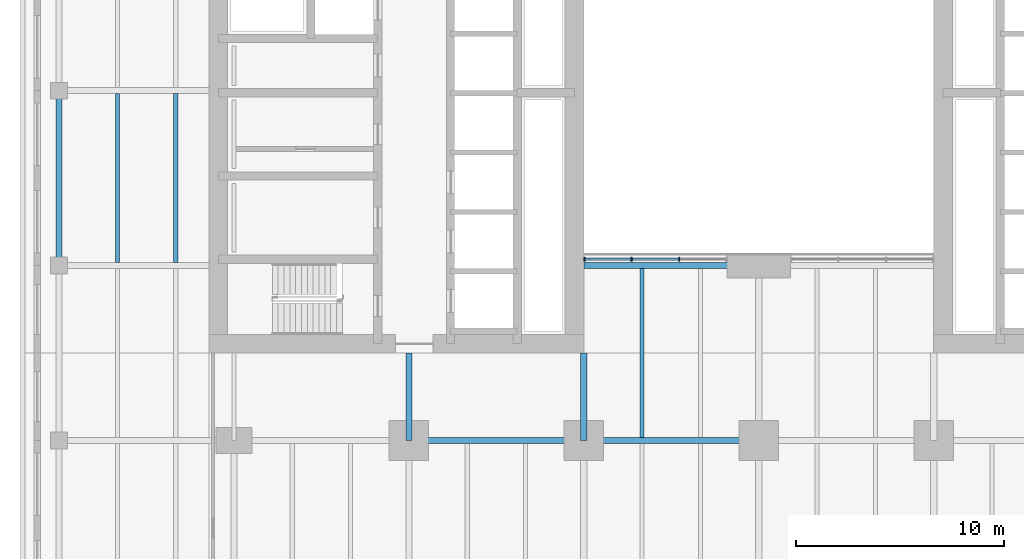
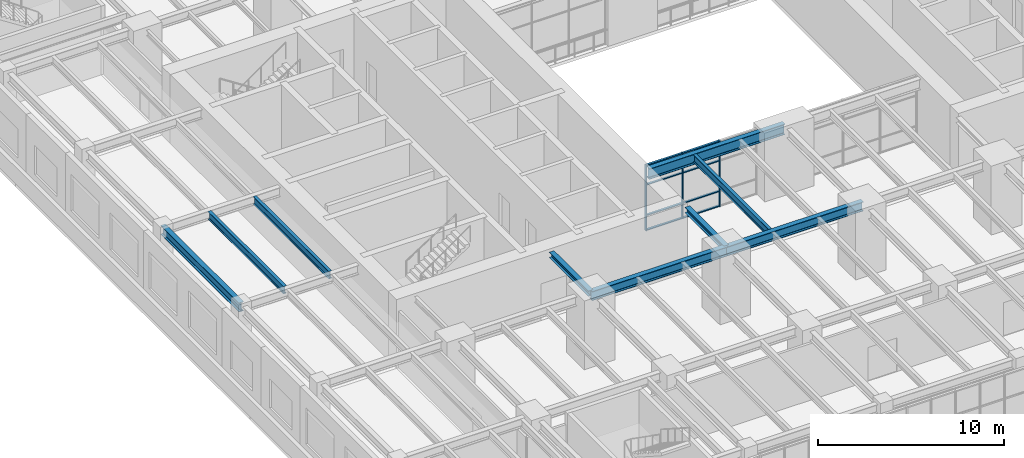
# One storey, part 4 of 30: 11 members, 9 beams, 1 element without a shape of its own.
"""IFC4 building model written with IfcOpenShell, lengths in metres."""

from ifc_helpers import new_model, si_unit, direction, frame, origin, origin_2d, place, context, subcontext, project, spatial, rectangle, i_section, extrude, material, material_profile, profile_set, type_object, element, aggregate, save


model = new_model("IFC4")

# Units and contexts
model_context = context("Model", 3, precision=1e-05, world=origin(), true_north=direction((0.0, 1.0)))
body_context = subcontext(model_context, "Body", "Model", "MODEL_VIEW")
ifc_project = project(units=[si_unit("LENGTHUNIT", "METRE"), si_unit("AREAUNIT", "SQUARE_METRE"), si_unit("VOLUMEUNIT", "CUBIC_METRE"), si_unit("PLANEANGLEUNIT", "RADIAN"), si_unit("MASSUNIT", "GRAM", prefix="KILO")], contexts=[model_context])

# Site, building, storey
site_placement = place(None, origin())
site = spatial("IfcSite", under=ifc_project, at=site_placement, CompositionType="ELEMENT")
building_placement = place(site_placement, origin())
building = spatial("IfcBuilding", under=site, at=building_placement, Name="Claustro Exchange Tower", CompositionType="ELEMENT")
storey_placement = place(building_placement, frame((0.0, 0.0, 5.39990234375)))
storey = spatial("IfcBuildingStorey", under=building, at=storey_placement, Name="L01", CompositionType="ELEMENT", Elevation=5.39990234375)

# Beams
ifc_material_1 = material(Name="Steel S355", Category="steel")
ifc_material_profile_1 = material_profile(ifc_material_1, i_section(OverallWidth=0.300048828125, OverallDepth=0.60009765625, WebThickness=0.015380859375, FlangeThickness=0.030029296875, FilletRadius=0.027099609375, at=origin_2d()), Name="HE 600 B")
ifc_profile_set_1 = profile_set([ifc_material_profile_1], Name="Steel S355")
beam_type_1 = type_object("IfcBeamType", Name="B1 HE 600 B floor girder", PredefinedType="BEAM", material=ifc_profile_set_1)
beam_1_placement = place(storey_placement, frame((-8.39990234375, 16.800048828125, 4.0), z_axis=(0.0, 1.0, 0.0), x_axis=(-1.0, 0.0, 0.0)))
element("IfcBeam", 1, at=beam_1_placement, inside=storey, type_object=beam_type_1, Name="Beam B1 L02", PredefinedType="BEAM", context=body_context, shape_type="SweptSolid", body=[
    extrude(i_section(OverallWidth=0.300048828125, OverallDepth=0.60009765625, WebThickness=0.015380859375, FlangeThickness=0.030029296875, FilletRadius=0.027099609375, at=origin_2d()), origin(), (0.0, 0.0, 1.0), 8.39990234375),
])
beam_2_placement = place(storey_placement, frame((8.39990234375, 8.39990234375, 4.0), z_axis=(1.0, 0.0, 0.0), x_axis=(0.0, 1.0, 0.0)))
element("IfcBeam", 2, at=beam_2_placement, inside=storey, type_object=beam_type_1, Name="Beam B1 L02", PredefinedType="BEAM", context=body_context, shape_type="SweptSolid", body=[
    extrude(i_section(OverallWidth=0.300048828125, OverallDepth=0.60009765625, WebThickness=0.015380859375, FlangeThickness=0.030029296875, FilletRadius=0.027099609375, at=origin_2d()), origin(), (0.0, 0.0, 1.0), 8.400146484375),
])
beam_3_placement = place(storey_placement, frame((16.800048828125, 8.39990234375, 4.0), z_axis=(1.0, 0.0, 0.0), x_axis=(0.0, 1.0, 0.0)))
element("IfcBeam", 3, at=beam_3_placement, inside=storey, type_object=beam_type_1, Name="Beam B1 L02", PredefinedType="BEAM", context=body_context, shape_type="SweptSolid", body=[
    extrude(i_section(OverallWidth=0.300048828125, OverallDepth=0.60009765625, WebThickness=0.015380859375, FlangeThickness=0.030029296875, FilletRadius=0.027099609375, at=origin_2d()), origin(), (0.0, 0.0, 1.0), 8.39990234375),
])
ifc_material_2 = material(Name="Steel S355", Category="steel")
ifc_material_profile_2 = material_profile(ifc_material_2, i_section(OverallWidth=0.300048828125, OverallDepth=0.68994140625, WebThickness=0.014404296875, FlangeThickness=0.027099609375, FilletRadius=0.027099609375, at=origin_2d()), Name="HE 700 A")
ifc_profile_set_2 = profile_set([ifc_material_profile_2], Name="Steel S355")
beam_type_2 = type_object("IfcBeamType", Name="B13 HE 700 A light well edge girder", PredefinedType="BEAM", material=ifc_profile_set_2)
beam_4_placement = place(storey_placement, frame((16.800048828125, 16.800048828125, 3.955078125), z_axis=(1.0, 0.0, 0.0), x_axis=(0.0, 1.0, 0.0)))
element("IfcBeam", 4, at=beam_4_placement, inside=storey, type_object=beam_type_2, Name="Beam B13 L02", PredefinedType="BEAM", context=body_context, shape_type="SweptSolid", body=[
    extrude(i_section(OverallWidth=0.300048828125, OverallDepth=0.68994140625, WebThickness=0.014404296875, FlangeThickness=0.027099609375, FilletRadius=0.027099609375, at=origin_2d()), origin(), (0.0, 0.0, 1.0), 8.39990234375),
])
ifc_material_3 = material(Name="Steel S355", Category="steel")
ifc_material_profile_3 = material_profile(ifc_material_3, i_section(OverallWidth=0.199951171875, OverallDepth=0.5, WebThickness=0.01025390625, FlangeThickness=0.01611328125, FilletRadius=0.02099609375, at=origin_2d()), Name="IPE 500")
ifc_profile_set_3 = profile_set([ifc_material_profile_3], Name="Steel S355")
beam_type_3 = type_object("IfcBeamType", Name="B2 IPE 500 secondary beam", PredefinedType="BEAM", material=ifc_profile_set_3)
for number, where, z_axis, x_axis, name in (
    (5, (-5.60009765625, 16.949951171875, 4.050048828125), (0.0, 1.0, 0.0), (-1.0, 0.0, 0.0), "Beam B2 L02"),
    (6, (-2.800048828125, 16.949951171875, 4.050048828125), (0.0, 1.0, 0.0), (-1.0, 0.0, 0.0), "Beam B2 L02"),
):
    element("IfcBeam", number, at=place(storey_placement, frame(where, z_axis=z_axis, x_axis=x_axis)), inside=storey, type_object=beam_type_3, Name=name, PredefinedType="BEAM", context=body_context, shape_type="SweptSolid", body=[
        extrude(i_section(OverallWidth=0.199951171875, OverallDepth=0.5, WebThickness=0.01025390625, FlangeThickness=0.01611328125, FilletRadius=0.02099609375, at=origin_2d()), origin(), (0.0, 0.0, 1.0), 8.10009765625),
    ])
beam_5_placement = place(storey_placement, frame((19.60009765625, 8.550048828125, 4.050048828125), z_axis=(0.0, 1.0, 0.0), x_axis=(-1.0, 0.0, 0.0)))
element("IfcBeam", 7, at=beam_5_placement, inside=storey, type_object=beam_type_3, Name="Beam B2 L02", PredefinedType="BEAM", context=body_context, shape_type="SweptSolid", body=[
    extrude(i_section(OverallWidth=0.199951171875, OverallDepth=0.5, WebThickness=0.01025390625, FlangeThickness=0.01611328125, FilletRadius=0.02099609375, at=origin_2d()), origin(), (0.0, 0.0, 1.0), 8.099853515625),
])
ifc_material_4 = material(Name="Steel S355", Category="steel")
ifc_material_profile_4 = material_profile(ifc_material_4, i_section(OverallWidth=0.300048828125, OverallDepth=0.360107421875, WebThickness=0.012451171875, FlangeThickness=0.0224609375, FilletRadius=0.027099609375, at=origin_2d()), Name="HE 360 B")
ifc_profile_set_4 = profile_set([ifc_material_profile_4], Name="Steel S355")
beam_type_4 = type_object("IfcBeamType", Name="B29 HE 360 B column to core link beam", PredefinedType="BEAM", material=ifc_profile_set_4)
for number, where, z_axis, x_axis, name in (
    (8, (8.39990234375, 8.39990234375, 4.1201171875), (0.0, 1.0, 0.0), (-1.0, 0.0, 0.0), "Beam B29 L02"),
    (9, (16.800048828125, 8.39990234375, 4.1201171875), (0.0, 1.0, 0.0), (-1.0, 0.0, 0.0), "Beam B29 L02"),
):
    element("IfcBeam", number, at=place(storey_placement, frame(where, z_axis=z_axis, x_axis=x_axis)), inside=storey, type_object=beam_type_4, Name=name, PredefinedType="BEAM", context=body_context, shape_type="SweptSolid", body=[
        extrude(i_section(OverallWidth=0.300048828125, OverallDepth=0.360107421875, WebThickness=0.012451171875, FlangeThickness=0.0224609375, FilletRadius=0.027099609375, at=origin_2d()), origin(), (0.0, 0.0, 1.0), 4.2001953125),
    ])

# Curtain wall, members
ifc_material_5 = material(Name="Aluminium frame, clear double glazing", Category="aluminium")
curtain_wall_type = type_object("IfcCurtainWallType", Name="CW3 light well curtain wall", PredefinedType="USERDEFINED", material=ifc_material_5)
curtain_wall_placement = place(storey_placement, origin())
curtain_wall = element("IfcCurtainWall", 10, at=curtain_wall_placement, inside=storey, type_object=curtain_wall_type, Name="Curtain wall CW3 L01", ObjectType="STICK CURTAIN WALL", PredefinedType="USERDEFINED")
ifc_material_6 = material(Name="Aluminium mullion", Category="aluminium")
ifc_material_profile_5 = material_profile(ifc_material_6, rectangle(XDim=0.179931640625, YDim=0.06494140625, at=origin_2d()), Name="CW3-M 65x180")
ifc_profile_set_5 = profile_set([ifc_material_profile_5], Name="Aluminium mullion")
member_type_1 = type_object("IfcMemberType", Name="CW3-M 65 x 180 mullion", PredefinedType="MULLION", material=ifc_profile_set_5)
member_1_placement = place(storey_placement, frame((16.83251953125, 17.10009765625, 0.0), z_axis=(0.0, 0.0, 1.0), x_axis=(0.0, 1.0, 0.0)))
member_1 = element("IfcMember", 11, at=member_1_placement, type_object=member_type_1, Name="CW3 mullion 1", PredefinedType="MULLION", context=body_context, shape_type="SweptSolid", body=[
    extrude(rectangle(XDim=0.179931640625, YDim=0.06494140625, at=origin_2d()), origin(), (0.0, 0.0, 1.0), 4.300048828125),
])
member_2_placement = place(storey_placement, frame((19.091552734375, 17.10009765625, 0.0), z_axis=(0.0, 0.0, 1.0), x_axis=(0.0, 1.0, 0.0)))
member_2 = element("IfcMember", 12, at=member_2_placement, type_object=member_type_1, Name="CW3 mullion 2", PredefinedType="MULLION", context=body_context, shape_type="SweptSolid", body=[
    extrude(rectangle(XDim=0.179931640625, YDim=0.06494140625, at=origin_2d()), origin(), (0.0, 0.0, 1.0), 4.300048828125),
])
member_3_placement = place(storey_placement, frame((21.38330078125, 17.10009765625, 0.0), z_axis=(0.0, 0.0, 1.0), x_axis=(0.0, 1.0, 0.0)))
member_3 = element("IfcMember", 13, at=member_3_placement, type_object=member_type_1, Name="CW3 mullion 3", PredefinedType="MULLION", context=body_context, shape_type="SweptSolid", body=[
    extrude(rectangle(XDim=0.179931640625, YDim=0.06494140625, at=origin_2d()), origin(), (0.0, 0.0, 1.0), 4.300048828125),
])
ifc_material_7 = material(Name="Aluminium transom", Category="aluminium")
ifc_material_profile_6 = material_profile(ifc_material_7, rectangle(XDim=0.1298828125, YDim=0.06494140625, at=origin_2d()), Name="CW3-T 65x130")
ifc_profile_set_6 = profile_set([ifc_material_profile_6], Name="Aluminium transom")
member_type_2 = type_object("IfcMemberType", Name="CW3-T 65 x 130 transom", PredefinedType="USERDEFINED", material=ifc_profile_set_6)
member_4_placement = place(storey_placement, frame((16.864990234375, 17.10009765625, 0.03271484375), z_axis=(1.0, 0.0, 0.0), x_axis=(0.0, 1.0, 0.0)))
member_4 = element("IfcMember", 14, at=member_4_placement, type_object=member_type_2, Name="CW3 transom 1.1", ObjectType="TRANSOM", PredefinedType="USERDEFINED", context=body_context, shape_type="SweptSolid", body=[
    extrude(rectangle(XDim=0.1298828125, YDim=0.06494140625, at=origin_2d()), origin(), (0.0, 0.0, 1.0), 2.194091796875),
])
member_5_placement = place(storey_placement, frame((16.864990234375, 17.10009765625, 1.0), z_axis=(1.0, 0.0, 0.0), x_axis=(0.0, 1.0, 0.0)))
member_5 = element("IfcMember", 15, at=member_5_placement, type_object=member_type_2, Name="CW3 transom 1.2", ObjectType="TRANSOM", PredefinedType="USERDEFINED", context=body_context, shape_type="SweptSolid", body=[
    extrude(rectangle(XDim=0.1298828125, YDim=0.06494140625, at=origin_2d()), origin(), (0.0, 0.0, 1.0), 2.194091796875),
])
member_6_placement = place(storey_placement, frame((16.864990234375, 17.10009765625, 3.0), z_axis=(1.0, 0.0, 0.0), x_axis=(0.0, 1.0, 0.0)))
member_6 = element("IfcMember", 16, at=member_6_placement, type_object=member_type_2, Name="CW3 transom 1.3", ObjectType="TRANSOM", PredefinedType="USERDEFINED", context=body_context, shape_type="SweptSolid", body=[
    extrude(rectangle(XDim=0.1298828125, YDim=0.06494140625, at=origin_2d()), origin(), (0.0, 0.0, 1.0), 2.194091796875),
])
member_7_placement = place(storey_placement, frame((16.864990234375, 17.10009765625, 4.267578125), z_axis=(1.0, 0.0, 0.0), x_axis=(0.0, 1.0, 0.0)))
member_7 = element("IfcMember", 17, at=member_7_placement, type_object=member_type_2, Name="CW3 transom 1.4", ObjectType="TRANSOM", PredefinedType="USERDEFINED", context=body_context, shape_type="SweptSolid", body=[
    extrude(rectangle(XDim=0.1298828125, YDim=0.06494140625, at=origin_2d()), origin(), (0.0, 0.0, 1.0), 2.194091796875),
])
member_8_placement = place(storey_placement, frame((19.124267578125, 17.10009765625, 0.03271484375), z_axis=(1.0, 0.0, 0.0), x_axis=(0.0, 1.0, 0.0)))
member_8 = element("IfcMember", 18, at=member_8_placement, type_object=member_type_2, Name="CW3 transom 2.1", ObjectType="TRANSOM", PredefinedType="USERDEFINED", context=body_context, shape_type="SweptSolid", body=[
    extrude(rectangle(XDim=0.1298828125, YDim=0.06494140625, at=origin_2d()), origin(), (0.0, 0.0, 1.0), 2.2265625),
])
member_9_placement = place(storey_placement, frame((19.124267578125, 17.10009765625, 1.0), z_axis=(1.0, 0.0, 0.0), x_axis=(0.0, 1.0, 0.0)))
member_9 = element("IfcMember", 19, at=member_9_placement, type_object=member_type_2, Name="CW3 transom 2.2", ObjectType="TRANSOM", PredefinedType="USERDEFINED", context=body_context, shape_type="SweptSolid", body=[
    extrude(rectangle(XDim=0.1298828125, YDim=0.06494140625, at=origin_2d()), origin(), (0.0, 0.0, 1.0), 2.2265625),
])
member_10_placement = place(storey_placement, frame((19.124267578125, 17.10009765625, 3.0), z_axis=(1.0, 0.0, 0.0), x_axis=(0.0, 1.0, 0.0)))
member_10 = element("IfcMember", 20, at=member_10_placement, type_object=member_type_2, Name="CW3 transom 2.3", ObjectType="TRANSOM", PredefinedType="USERDEFINED", context=body_context, shape_type="SweptSolid", body=[
    extrude(rectangle(XDim=0.1298828125, YDim=0.06494140625, at=origin_2d()), origin(), (0.0, 0.0, 1.0), 2.2265625),
])
member_11_placement = place(storey_placement, frame((19.124267578125, 17.10009765625, 4.267578125), z_axis=(1.0, 0.0, 0.0), x_axis=(0.0, 1.0, 0.0)))
member_11 = element("IfcMember", 21, at=member_11_placement, type_object=member_type_2, Name="CW3 transom 2.4", ObjectType="TRANSOM", PredefinedType="USERDEFINED", context=body_context, shape_type="SweptSolid", body=[
    extrude(rectangle(XDim=0.1298828125, YDim=0.06494140625, at=origin_2d()), origin(), (0.0, 0.0, 1.0), 2.2265625),
])
aggregate(curtain_wall, [member_1, member_2, member_3, member_4, member_5, member_6, member_7, member_8, member_9, member_10, member_11])

save(model, "model.ifc")
